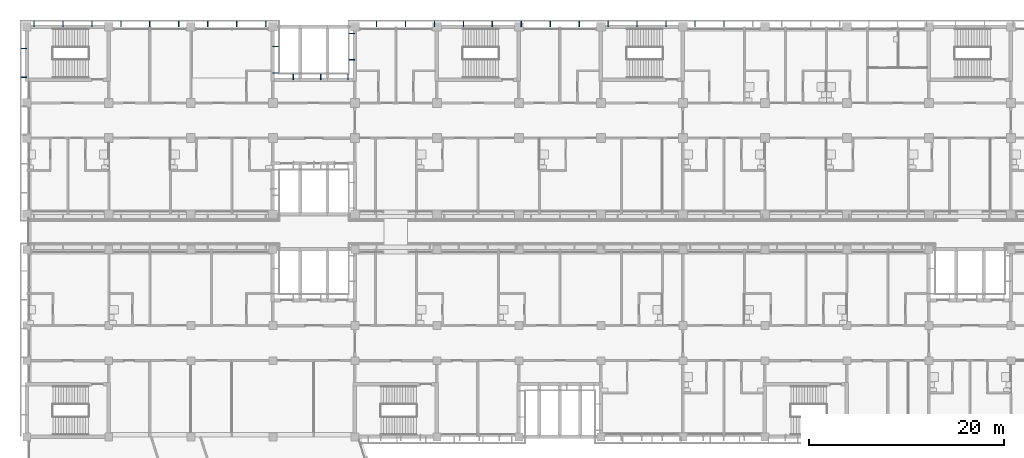
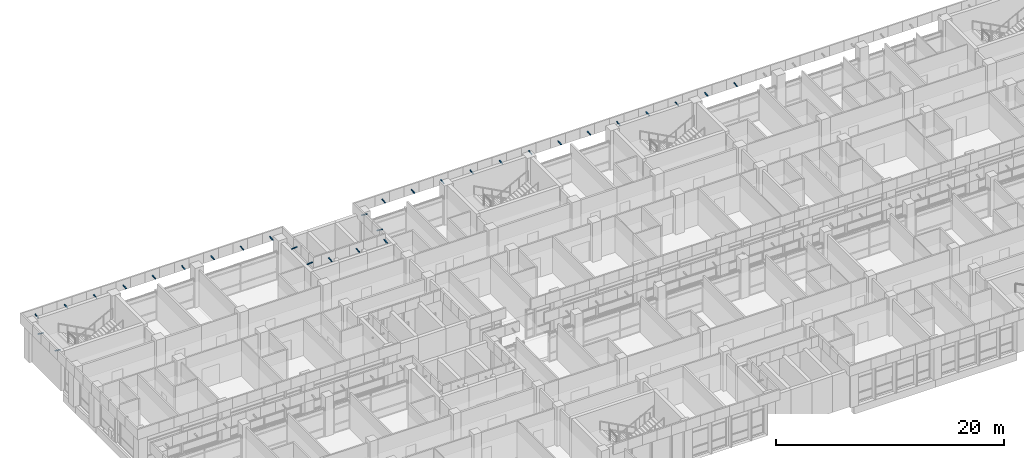
# One storey, part 110 of 137: 31 discrete accessories.
"""IFC4 building model written with IfcOpenShell, lengths in metres."""

from ifc_helpers import new_model, si_unit, direction, frame, origin, origin_2d, place, context, subcontext, project, spatial, rectangle, extrude, material, material_profile, profile_set, type_object, element, save


model = new_model("IFC4")

# Units and contexts
model_context = context("Model", 3, precision=1e-05, world=origin(), true_north=direction((0.0, 1.0)))
body_context = subcontext(model_context, "Body", "Model", "MODEL_VIEW")
ifc_project = project(units=[si_unit("LENGTHUNIT", "METRE"), si_unit("AREAUNIT", "SQUARE_METRE"), si_unit("VOLUMEUNIT", "CUBIC_METRE"), si_unit("PLANEANGLEUNIT", "RADIAN"), si_unit("MASSUNIT", "GRAM", prefix="KILO")], contexts=[model_context])

# Site, building, storey
site_placement = place(None, origin())
site = spatial("IfcSite", under=ifc_project, at=site_placement, CompositionType="ELEMENT")
building_placement = place(site_placement, origin())
building = spatial("IfcBuilding", under=site, at=building_placement, Name="Bougainvillea Quay General Hospital", CompositionType="ELEMENT")
storey_placement = place(building_placement, frame((0.0, 0.0, 16.800048828125)))
storey = spatial("IfcBuildingStorey", under=building, at=storey_placement, Name="L03", CompositionType="ELEMENT", Elevation=16.800048828125)

# Discrete accessories
ifc_material = material(Name="Stainless steel bracket, grade 316", Category="steel")
ifc_material_profile = material_profile(ifc_material, rectangle(XDim=0.080078125, YDim=0.050048828125, at=origin_2d()))
ifc_profile_set = profile_set([ifc_material_profile], Name="Stainless steel bracket, grade 316")
discrete_accessory_type = type_object("IfcDiscreteAccessoryType", Name="Stainless steel stand-off bracket 80x50", PredefinedType="BRACKET", material=ifc_profile_set)
for number, where, z_axis, x_axis, name in (
    (1, (113.39990234375, 159.60009765625, 4.139892578125), (0.0, 0.994086591779, 0.108590276011), (-1.0, 0.0, 0.0), "Fascia bracket e0 109"),
    (2, (110.435302734375, 159.60009765625, 4.139892578125), (0.0, 0.994086591779, 0.108590276011), (-1.0, 0.0, 0.0), "Fascia bracket e0 111"),
    (3, (107.470703125, 159.60009765625, 4.139892578125), (0.0, 0.994086591779, 0.108590276011), (-1.0, 0.0, 0.0), "Fascia bracket e0 113"),
    (4, (104.505859375, 159.60009765625, 4.139892578125), (0.0, 0.994086591779, 0.108590276011), (-1.0, 0.0, 0.0), "Fascia bracket e0 115"),
    (5, (101.541259765625, 159.60009765625, 4.139892578125), (0.0, 0.994086591779, 0.108590276011), (-1.0, 0.0, 0.0), "Fascia bracket e0 117"),
    (6, (98.576416015625, 159.60009765625, 4.139892578125), (0.0, 0.994086591779, 0.108590276011), (-1.0, 0.0, 0.0), "Fascia bracket e0 119"),
    (7, (95.61181640625, 159.60009765625, 4.139892578125), (0.0, 0.994086591779, 0.108590276011), (-1.0, 0.0, 0.0), "Fascia bracket e0 121"),
    (8, (92.64697265625, 159.60009765625, 4.139892578125), (0.0, 0.994086591779, 0.108590276011), (-1.0, 0.0, 0.0), "Fascia bracket e0 123"),
    (9, (89.682373046875, 159.60009765625, 4.139892578125), (0.0, 0.994086591779, 0.108590276011), (-1.0, 0.0, 0.0), "Fascia bracket e0 125"),
    (10, (86.717529296875, 159.60009765625, 4.139892578125), (0.0, 0.994086591779, 0.108590276011), (-1.0, 0.0, 0.0), "Fascia bracket e0 127"),
    (11, (83.7529296875, 159.60009765625, 4.139892578125), (0.0, 0.994086591779, 0.108590276011), (-1.0, 0.0, 0.0), "Fascia bracket e0 129"),
    (12, (80.788330078125, 159.60009765625, 4.139892578125), (0.0, 0.994086591779, 0.108590276011), (-1.0, 0.0, 0.0), "Fascia bracket e0 131"),
    (13, (77.823486328125, 159.60009765625, 4.139892578125), (0.0, 0.994086591779, 0.108590276011), (-1.0, 0.0, 0.0), "Fascia bracket e0 133"),
):
    element("IfcDiscreteAccessory", number, at=place(storey_placement, frame(where, z_axis=z_axis, x_axis=x_axis)), inside=storey, type_object=discrete_accessory_type, Name=name, PredefinedType="BRACKET", context=body_context, shape_type="SweptSolid", body=[
        extrude(rectangle(XDim=0.080078125, YDim=0.050048828125, at=origin_2d()), origin(), (0.0, 0.0, 1.0), 0.552978515625),
    ])
for number, where, z_axis, x_axis, name in (
    (14, (75.60009765625, 158.925048828125, 4.139892578125), (-0.994091793559, 0.0, 0.108542645901), (0.0, -1.0, 0.0), "Fascia bracket e0 135"),
    (15, (75.60009765625, 156.22509765625, 4.139892578125), (-0.994091793559, 0.0, 0.108542645901), (0.0, -1.0, 0.0), "Fascia bracket e0 137"),
    (16, (74.89990234375, 154.199951171875, 4.139892578125), (0.0, 0.994091793559, 0.108542645901), (-1.0, 0.0, 0.0), "Fascia bracket e0 139"),
    (17, (72.10009765625, 154.199951171875, 4.139892578125), (0.0, 0.994091793559, 0.108542645901), (-1.0, 0.0, 0.0), "Fascia bracket e0 141"),
    (18, (69.300048828125, 154.199951171875, 4.139892578125), (0.0, 0.994091793559, 0.108542645901), (-1.0, 0.0, 0.0), "Fascia bracket e0 143"),
    (19, (67.199951171875, 154.875, 4.139892578125), (0.994091793559, 0.0, 0.108542645901), (0.0, 1.0, 0.0), "Fascia bracket e0 145"),
    (20, (67.199951171875, 157.574951171875, 4.139892578125), (0.994091793559, 0.0, 0.108542645901), (0.0, 1.0, 0.0), "Fascia bracket e0 147"),
):
    element("IfcDiscreteAccessory", number, at=place(storey_placement, frame(where, z_axis=z_axis, x_axis=x_axis)), inside=storey, type_object=discrete_accessory_type, Name=name, PredefinedType="BRACKET", context=body_context, shape_type="SweptSolid", body=[
        extrude(rectangle(XDim=0.080078125, YDim=0.050048828125, at=origin_2d()), origin(), (0.0, 0.0, 1.0), 0.55322265625),
    ])
for number, where, z_axis, x_axis, name in (
    (21, (66.458740234375, 159.60009765625, 4.139892578125), (0.0, 0.994086591779, 0.108590276011), (-1.0, 0.0, 0.0), "Fascia bracket e0 149"),
    (22, (63.494140625, 159.60009765625, 4.139892578125), (0.0, 0.994086591779, 0.108590276011), (-1.0, 0.0, 0.0), "Fascia bracket e0 151"),
    (23, (60.529296875, 159.60009765625, 4.139892578125), (0.0, 0.994086591779, 0.108590276011), (-1.0, 0.0, 0.0), "Fascia bracket e0 153"),
    (24, (57.564697265625, 159.60009765625, 4.139892578125), (0.0, 0.994086591779, 0.108590276011), (-1.0, 0.0, 0.0), "Fascia bracket e0 155"),
    (25, (54.60009765625, 159.60009765625, 4.139892578125), (0.0, 0.994086591779, 0.108590276011), (-1.0, 0.0, 0.0), "Fascia bracket e0 157"),
    (26, (51.63525390625, 159.60009765625, 4.139892578125), (0.0, 0.994086591779, 0.108590276011), (-1.0, 0.0, 0.0), "Fascia bracket e0 159"),
    (27, (48.670654296875, 159.60009765625, 4.139892578125), (0.0, 0.994086591779, 0.108590276011), (-1.0, 0.0, 0.0), "Fascia bracket e0 161"),
    (28, (45.705810546875, 159.60009765625, 4.139892578125), (0.0, 0.994086591779, 0.108590276011), (-1.0, 0.0, 0.0), "Fascia bracket e0 163"),
    (29, (42.7412109375, 159.60009765625, 4.139892578125), (0.0, 0.994086591779, 0.108590276011), (-1.0, 0.0, 0.0), "Fascia bracket e0 165"),
):
    element("IfcDiscreteAccessory", number, at=place(storey_placement, frame(where, z_axis=z_axis, x_axis=x_axis)), inside=storey, type_object=discrete_accessory_type, Name=name, PredefinedType="BRACKET", context=body_context, shape_type="SweptSolid", body=[
        extrude(rectangle(XDim=0.080078125, YDim=0.050048828125, at=origin_2d()), origin(), (0.0, 0.0, 1.0), 0.552978515625),
    ])
for number, where, z_axis, x_axis, name in (
    (30, (42.0, 157.384521484375, 4.139892578125), (-0.994091793559, 0.0, 0.108542645901), (0.0, -1.0, 0.0), "Fascia bracket e0 167"),
    (31, (42.0, 154.4306640625, 4.139892578125), (-0.994091793559, 0.0, 0.108542645901), (0.0, -1.0, 0.0), "Fascia bracket e0 169"),
):
    element("IfcDiscreteAccessory", number, at=place(storey_placement, frame(where, z_axis=z_axis, x_axis=x_axis)), inside=storey, type_object=discrete_accessory_type, Name=name, PredefinedType="BRACKET", context=body_context, shape_type="SweptSolid", body=[
        extrude(rectangle(XDim=0.080078125, YDim=0.050048828125, at=origin_2d()), origin(), (0.0, 0.0, 1.0), 0.55322265625),
    ])

save(model, "model.ifc")
